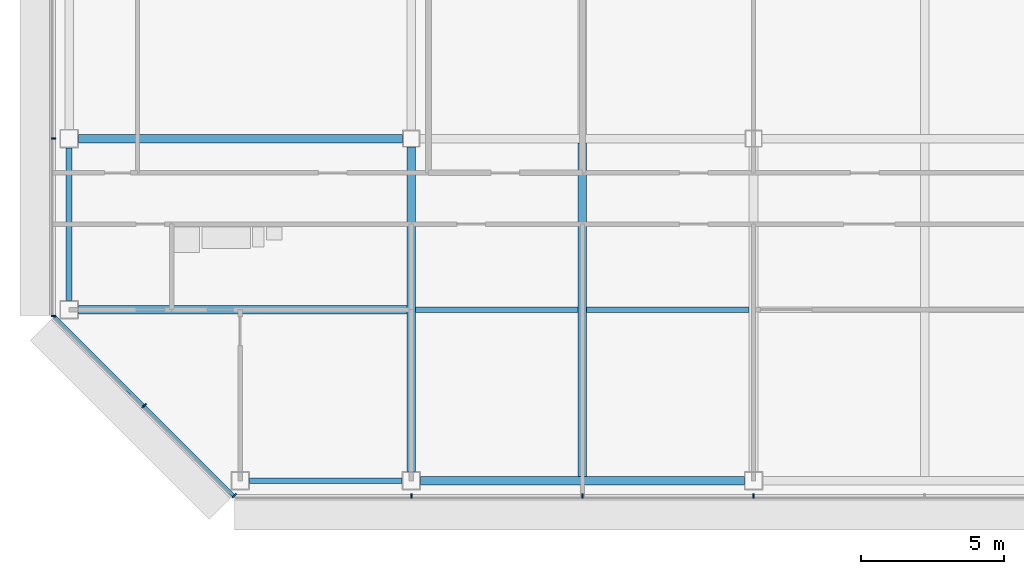
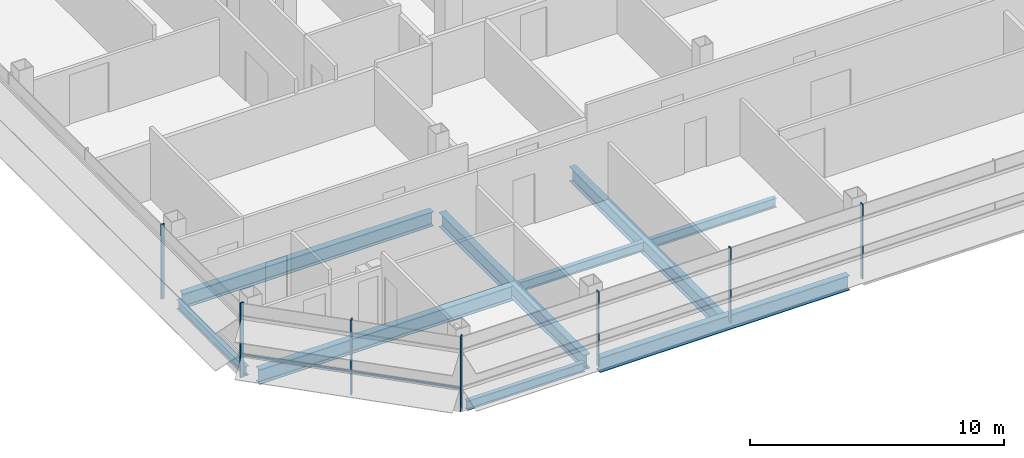
# One storey, part 2 of 26: 9 beams, 8 members, 3 elements without a shape of their own.
"""IFC4 building model written with IfcOpenShell, lengths in metres."""

from ifc_helpers import new_model, si_unit, direction, frame, origin, origin_2d, place, context, subcontext, project, spatial, rectangle, i_section, extrude, material, material_profile, profile_set, type_object, element, aggregate, save


model = new_model("IFC4")

# Units and contexts
model_context = context("Model", 3, precision=1e-05, world=origin(), true_north=direction((0.0, 1.0)))
body_context = subcontext(model_context, "Body", "Model", "MODEL_VIEW")
ifc_project = project(units=[si_unit("LENGTHUNIT", "METRE"), si_unit("AREAUNIT", "SQUARE_METRE"), si_unit("VOLUMEUNIT", "CUBIC_METRE"), si_unit("PLANEANGLEUNIT", "RADIAN"), si_unit("MASSUNIT", "GRAM", prefix="KILO")], contexts=[model_context])

# Site, building, storey
site_placement = place(None, origin())
site = spatial("IfcSite", under=ifc_project, at=site_placement, CompositionType="ELEMENT")
building_placement = place(site_placement, origin())
building = spatial("IfcBuilding", under=site, at=building_placement, Name="Sorahane Residences", CompositionType="ELEMENT")
storey_placement = place(building_placement, frame((0.0, 0.0, 243.199951171875)))
storey = spatial("IfcBuildingStorey", under=building, at=storey_placement, Name="L57", CompositionType="ELEMENT", Elevation=243.199951171875)

# Curtain wall, members
ifc_material_1 = material(Name="Dark low-e glass and black anodised aluminium", Category="aluminium")
curtain_wall_type_1 = type_object("IfcCurtainWallType", Name="Curtain wall CW-1 Typical unitised wall", PredefinedType="NOTDEFINED", material=ifc_material_1)
curtain_wall_1_placement = place(storey_placement, origin())
curtain_wall_1 = element("IfcCurtainWall", 1, at=curtain_wall_1_placement, inside=storey, type_object=curtain_wall_type_1, Name="CW-1 curtain wall L57 S1", PredefinedType="NOTDEFINED")
ifc_material_2 = material(Name="Black anodised aluminium", Category="aluminium")
ifc_material_profile_1 = material_profile(ifc_material_2, rectangle(XDim=0.159912109375, YDim=0.050048828125, at=origin_2d()), Name="Curtain wall mullion CW-1 black anodised aluminium 50x160")
ifc_profile_set_1 = profile_set([ifc_material_profile_1], Name="Black anodised aluminium")
member_type_1 = type_object("IfcMemberType", Name="Curtain wall mullion CW-1 black anodised aluminium 50x160", PredefinedType="MULLION", material=ifc_profile_set_1)
member_1_placement = place(storey_placement, frame((0.0, -0.5400390625, -0.179931640625), z_axis=(0.0, 0.0, 1.0), x_axis=(0.0, -1.0, 0.0)))
member_1 = element("IfcMember", 2, at=member_1_placement, type_object=member_type_1, Name="CW-1 mullion L57 S1.2", PredefinedType="MULLION", context=body_context, shape_type="SweptSolid", body=[
    extrude(rectangle(XDim=0.159912109375, YDim=0.050048828125, at=origin_2d()), origin(), (0.0, 0.0, 1.0), 3.60009765625),
])
member_2_placement = place(storey_placement, frame((6.0, -0.5400390625, -0.179931640625), z_axis=(0.0, 0.0, 1.0), x_axis=(0.0, -1.0, 0.0)))
member_2 = element("IfcMember", 3, at=member_2_placement, type_object=member_type_1, Name="CW-1 mullion L57 S1.3", PredefinedType="MULLION", context=body_context, shape_type="SweptSolid", body=[
    extrude(rectangle(XDim=0.159912109375, YDim=0.050048828125, at=origin_2d()), origin(), (0.0, 0.0, 1.0), 3.60009765625),
])
member_3_placement = place(storey_placement, frame((12.0, -0.5400390625, -0.179931640625), z_axis=(0.0, 0.0, 1.0), x_axis=(0.0, -1.0, 0.0)))
member_3 = element("IfcMember", 4, at=member_3_placement, type_object=member_type_1, Name="CW-1 mullion L57 S1.4", PredefinedType="MULLION", context=body_context, shape_type="SweptSolid", body=[
    extrude(rectangle(XDim=0.159912109375, YDim=0.050048828125, at=origin_2d()), origin(), (0.0, 0.0, 1.0), 3.60009765625),
])
aggregate(curtain_wall_1, [member_1, member_2, member_3])

curtain_wall_2_placement = place(storey_placement, origin())
curtain_wall_2 = element("IfcCurtainWall", 5, at=curtain_wall_2_placement, inside=storey, type_object=curtain_wall_type_1, Name="CW-1 curtain wall L57 W1", PredefinedType="NOTDEFINED")
member_4_placement = place(storey_placement, frame((-12.5400390625, 12.0, -0.179931640625), z_axis=(0.0, 0.0, 1.0), x_axis=(-1.0, 0.0, 0.0)))
member_4 = element("IfcMember", 6, at=member_4_placement, type_object=member_type_1, Name="CW-1 mullion L57 W1.6", PredefinedType="MULLION", context=body_context, shape_type="SweptSolid", body=[
    extrude(rectangle(XDim=0.159912109375, YDim=0.050048828125, at=origin_2d()), origin(), (0.0, 0.0, 1.0), 3.60009765625),
])
member_5_placement = place(storey_placement, frame((-12.5400390625, 5.7763671875, -0.179931640625), z_axis=(0.0, 0.0, 1.0), x_axis=(-1.0, 0.0, 0.0)))
member_5 = element("IfcMember", 7, at=member_5_placement, type_object=member_type_1, Name="CW-1 mullion L57 W1.7", PredefinedType="MULLION", context=body_context, shape_type="SweptSolid", body=[
    extrude(rectangle(XDim=0.159912109375, YDim=0.050048828125, at=origin_2d()), origin(), (0.0, 0.0, 1.0), 3.60009765625),
])
aggregate(curtain_wall_2, [member_4, member_5])

ifc_material_3 = material(Name="Dark low-e glass and black anodised aluminium", Category="aluminium")
curtain_wall_type_2 = type_object("IfcCurtainWallType", Name="Curtain wall CW-2 Chamfer unitised wall", PredefinedType="NOTDEFINED", material=ifc_material_3)
curtain_wall_3_placement = place(storey_placement, origin())
curtain_wall_3 = element("IfcCurtainWall", 8, at=curtain_wall_3_placement, inside=storey, type_object=curtain_wall_type_2, Name="CW-2 curtain wall L57 SW1", PredefinedType="NOTDEFINED")
ifc_material_4 = material(Name="Black anodised aluminium", Category="aluminium")
ifc_material_profile_2 = material_profile(ifc_material_4, rectangle(XDim=0.199951171875, YDim=0.050048828125, at=origin_2d()), Name="Curtain wall mullion CW-2 black anodised aluminium 50x200")
ifc_profile_set_2 = profile_set([ifc_material_profile_2], Name="Black anodised aluminium")
member_type_2 = type_object("IfcMemberType", Name="Curtain wall mullion CW-2 black anodised aluminium 50x200", PredefinedType="MULLION", material=ifc_profile_set_2)
member_6_placement = place(storey_placement, frame((-9.36767578125, 2.63232421875, -0.179931640625), z_axis=(0.0, 0.0, 1.0), x_axis=(-0.707106781187, -0.707106781187, 0.0)))
member_6 = element("IfcMember", 9, at=member_6_placement, type_object=member_type_2, Name="CW-2 mullion L57 SW1.2", PredefinedType="MULLION", context=body_context, shape_type="SweptSolid", body=[
    extrude(rectangle(XDim=0.199951171875, YDim=0.050048828125, at=origin_2d()), origin(), (0.0, 0.0, 1.0), 3.60009765625),
])
member_7_placement = place(storey_placement, frame((-6.209716796875, -0.525634765625, -0.179931640625), z_axis=(0.0, 0.0, 1.0), x_axis=(-0.707106781187, -0.707106781187, 0.0)))
member_7 = element("IfcMember", 10, at=member_7_placement, type_object=member_type_2, Name="CW-2 mullion L57 SW1.3", PredefinedType="MULLION", context=body_context, shape_type="SweptSolid", body=[
    extrude(rectangle(XDim=0.199951171875, YDim=0.050048828125, at=origin_2d()), origin(), (0.0, 0.0, 1.0), 3.60009765625),
])
ifc_material_5 = material(Name="Black anodised aluminium", Category="aluminium")
ifc_material_profile_3 = material_profile(ifc_material_5, rectangle(XDim=0.10009765625, YDim=0.06005859375, at=origin_2d()), Name="Curtain wall transom CW-2 black anodised aluminium 60x100")
ifc_profile_set_3 = profile_set([ifc_material_profile_3], Name="Black anodised aluminium")
member_type_3 = type_object("IfcMemberType", Name="Curtain wall transom CW-2 black anodised aluminium 60x100", PredefinedType="USERDEFINED", material=ifc_profile_set_3)
member_8_placement = place(storey_placement, frame((-12.51513671875, 5.765625, 0.900146484375), z_axis=(0.707106781187, -0.707106781187, 0.0), x_axis=(0.707106781187, 0.707106781187, 0.0)))
member_8 = element("IfcMember", 11, at=member_8_placement, type_object=member_type_3, Name="CW-2 transom L57 SW1", ObjectType="TRANSOM", PredefinedType="USERDEFINED", context=body_context, shape_type="SweptSolid", body=[
    extrude(rectangle(XDim=0.10009765625, YDim=0.06005859375, at=origin_2d()), origin(), (0.0, 0.0, 1.0), 8.88232421875),
])
aggregate(curtain_wall_3, [member_6, member_7, member_8])

# Beams
ifc_material_6 = material(Name="Steel Q355B", Category="steel")
ifc_material_profile_4 = material_profile(ifc_material_6, i_section(OverallWidth=0.199951171875, OverallDepth=0.449951171875, WebThickness=0.009033203125, FlangeThickness=0.013916015625, FilletRadius=0.02001953125, at=origin_2d()), Name="HN 450x200x9x14")
ifc_profile_set_4 = profile_set([ifc_material_profile_4], Name="Steel Q355B")
beam_type_1 = type_object("IfcBeamType", Name="Steel floor beam HN 450x200x9x14 Q355B", PredefinedType="BEAM", material=ifc_profile_set_4)
for number, where, z_axis, x_axis, name in (
    (12, (-5.675048828125, 0.0, -0.405029296875), (1.0, 0.0, 0.0), (0.0, 1.0, 0.0), "Beam L57 000"),
    (13, (-12.0, 6.324951171875, -0.405029296875), (0.0, 1.0, 0.0), (-1.0, 0.0, 0.0), "Beam L57 020"),
):
    element("IfcBeam", number, at=place(storey_placement, frame(where, z_axis=z_axis, x_axis=x_axis)), inside=storey, type_object=beam_type_1, Name=name, PredefinedType="BEAM", context=body_context, shape_type="SweptSolid", body=[
        extrude(i_section(OverallWidth=0.199951171875, OverallDepth=0.449951171875, WebThickness=0.009033203125, FlangeThickness=0.013916015625, FilletRadius=0.02001953125, at=origin_2d()), origin(), (0.0, 0.0, 1.0), 5.35009765625),
    ])
for number, where, z_axis, x_axis, name in (
    (14, (0.14990234375, 6.0, -0.405029296875), (1.0, 0.0, 0.0), (0.0, 1.0, 0.0), "Beam L57 069"),
    (15, (6.14990234375, 6.0, -0.405029296875), (1.0, 0.0, 0.0), (0.0, 1.0, 0.0), "Beam L57 070"),
):
    element("IfcBeam", number, at=place(storey_placement, frame(where, z_axis=z_axis, x_axis=x_axis)), inside=storey, type_object=beam_type_1, Name=name, PredefinedType="BEAM", context=body_context, shape_type="SweptSolid", body=[
        extrude(i_section(OverallWidth=0.199951171875, OverallDepth=0.449951171875, WebThickness=0.009033203125, FlangeThickness=0.013916015625, FilletRadius=0.02001953125, at=origin_2d()), origin(), (0.0, 0.0, 1.0), 5.7001953125),
    ])
ifc_material_7 = material(Name="Steel Q355B", Category="steel")
ifc_material_profile_5 = material_profile(ifc_material_7, i_section(OverallWidth=0.300048828125, OverallDepth=0.699951171875, WebThickness=0.012939453125, FlangeThickness=0.02392578125, FilletRadius=0.028076171875, at=origin_2d()), Name="HN 700x300x13x24")
ifc_profile_set_5 = profile_set([ifc_material_profile_5], Name="Steel Q355B")
beam_type_2 = type_object("IfcBeamType", Name="Steel floor beam HN 700x300x13x24 Q355B", PredefinedType="BEAM", material=ifc_profile_set_5)
beam_1_placement = place(storey_placement, frame((0.324951171875, 0.0, -0.530029296875), z_axis=(1.0, 0.0, 0.0), x_axis=(0.0, 1.0, 0.0)))
element("IfcBeam", 16, at=beam_1_placement, inside=storey, type_object=beam_type_2, Name="Beam L57 001", PredefinedType="BEAM", context=body_context, shape_type="SweptSolid", body=[
    extrude(i_section(OverallWidth=0.300048828125, OverallDepth=0.699951171875, WebThickness=0.012939453125, FlangeThickness=0.02392578125, FilletRadius=0.028076171875, at=origin_2d()), origin(), (0.0, 0.0, 1.0), 11.35009765625),
])
for number, where, z_axis, x_axis, name in (
    (17, (-11.675048828125, 12.0, -0.530029296875), (1.0, 0.0, 0.0), (0.0, 1.0, 0.0), "Beam L57 005"),
    (18, (0.0, 0.324951171875, -0.530029296875), (0.0, 1.0, 0.0), (-1.0, 0.0, 0.0), "Beam L57 024"),
):
    element("IfcBeam", number, at=place(storey_placement, frame(where, z_axis=z_axis, x_axis=x_axis)), inside=storey, type_object=beam_type_2, Name=name, PredefinedType="BEAM", context=body_context, shape_type="SweptSolid", body=[
        extrude(i_section(OverallWidth=0.300048828125, OverallDepth=0.699951171875, WebThickness=0.012939453125, FlangeThickness=0.02392578125, FilletRadius=0.028076171875, at=origin_2d()), origin(), (0.0, 0.0, 1.0), 11.375),
    ])
beam_2_placement = place(storey_placement, frame((6.0, 0.14990234375, -0.530029296875), z_axis=(0.0, 1.0, 0.0), x_axis=(-1.0, 0.0, 0.0)))
element("IfcBeam", 19, at=beam_2_placement, inside=storey, type_object=beam_type_2, Name="Beam L57 028", PredefinedType="BEAM", context=body_context, shape_type="SweptSolid", body=[
    extrude(i_section(OverallWidth=0.300048828125, OverallDepth=0.699951171875, WebThickness=0.012939453125, FlangeThickness=0.02392578125, FilletRadius=0.028076171875, at=origin_2d()), origin(), (0.0, 0.0, 1.0), 11.7001953125),
])
beam_3_placement = place(storey_placement, frame((-11.675048828125, 6.0, -0.530029296875), z_axis=(1.0, 0.0, 0.0), x_axis=(0.0, 1.0, 0.0)))
element("IfcBeam", 20, at=beam_3_placement, inside=storey, type_object=beam_type_2, Name="Beam L57 068", PredefinedType="BEAM", context=body_context, shape_type="SweptSolid", body=[
    extrude(i_section(OverallWidth=0.300048828125, OverallDepth=0.699951171875, WebThickness=0.012939453125, FlangeThickness=0.02392578125, FilletRadius=0.028076171875, at=origin_2d()), origin(), (0.0, 0.0, 1.0), 11.525146484375),
])

save(model, "model.ifc")
